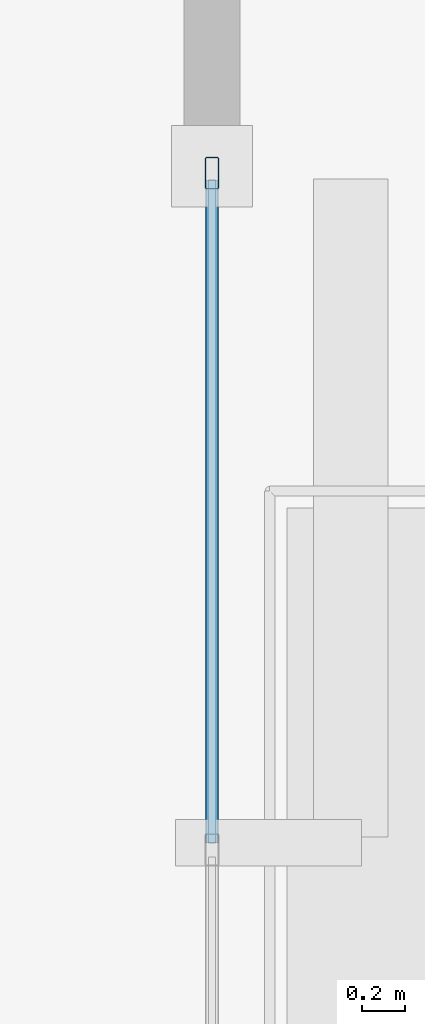
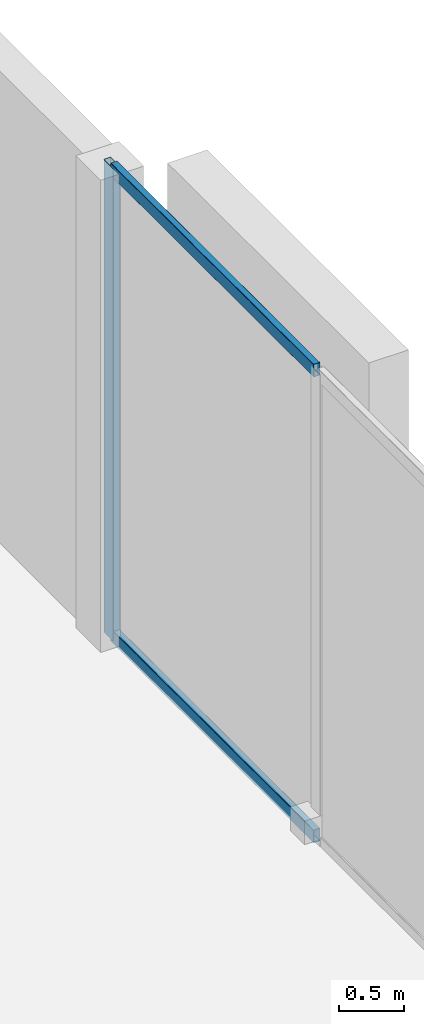
# One storey, part 3 of 11: 3 members, 1 element without a shape of its own.
"""IFC4 building model written with IfcOpenShell, lengths in metres."""

from ifc_helpers import new_model, si_unit, direction, frame, origin, origin_2d, place, context, subcontext, project, spatial, hollow_rectangle, extrude, material, layer, layer_set, material_profile, profile_set, type_object, element, aggregate, save


model = new_model("IFC4")

# Units and contexts
model_context = context("Model", 3, precision=1e-05, world=origin(), true_north=direction((0.0, 1.0)))
body_context = subcontext(model_context, "Body", "Model", "MODEL_VIEW")
ifc_project = project(units=[si_unit("LENGTHUNIT", "METRE"), si_unit("AREAUNIT", "SQUARE_METRE"), si_unit("VOLUMEUNIT", "CUBIC_METRE"), si_unit("PLANEANGLEUNIT", "RADIAN"), si_unit("MASSUNIT", "GRAM", prefix="KILO")], contexts=[model_context])

# Site, building, storey
site_placement = place(None, origin())
site = spatial("IfcSite", under=ifc_project, at=site_placement, CompositionType="ELEMENT")
building_placement = place(site_placement, origin())
building = spatial("IfcBuilding", under=site, at=building_placement, Name="An Khanh Terracotta Commons", CompositionType="ELEMENT")
storey_placement = place(building_placement, frame((0.0, 0.0, 19.35009765625)))
storey = spatial("IfcBuildingStorey", under=building, at=storey_placement, Name="L05", CompositionType="ELEMENT", Elevation=19.35009765625)

# Curtain wall, members
ifc_material = material(Name="Anodised Aluminium 6063-T6", Category="aluminium")
ifc_layer = layer(ifc_material, 0.179931640625, Name="Anodised Aluminium 6063-T6")
ifc_layer_set = layer_set([ifc_layer], Name="Anodised Aluminium 6063-T6")
curtain_wall_type = type_object("IfcCurtainWallType", Name="CW-SYS-01", PredefinedType="USERDEFINED", material=ifc_layer_set)
curtain_wall_placement = place(storey_placement, origin())
curtain_wall = element("IfcCurtainWall", 1, at=curtain_wall_placement, inside=storey, type_object=curtain_wall_type, Name="L05 CW-01 Unitised Curtain Wall CW-L05-EAST", ObjectType="UNITISED CURTAIN WALL", PredefinedType="USERDEFINED")
ifc_material_profile_1 = material_profile(ifc_material, hollow_rectangle(XDim=0.06494140625, YDim=0.14990234375, WallThickness=0.00390625, InnerFilletRadius=0.00390625, OuterFilletRadius=0.008056640625, at=origin_2d()), Name="RHS150x65x4")
ifc_profile_set_1 = profile_set([ifc_material_profile_1], Name="Anodised Aluminium 6063-T6")
member_type_1 = type_object("IfcMemberType", Name="CWM-RHS150x65x4", PredefinedType="MULLION", material=ifc_profile_set_1)
member_1_placement = place(storey_placement, frame((65.800048828125, 31.967529296875, 0.0), z_axis=(0.0, 0.0, 1.0), x_axis=(-1.0, 0.0, 0.0)))
member_1 = element("IfcMember", 2, at=member_1_placement, type_object=member_type_1, Name="CW-01 mullion 6", PredefinedType="MULLION", context=body_context, shape_type="SweptSolid", body=[
    extrude(hollow_rectangle(XDim=0.06494140625, YDim=0.14990234375, WallThickness=0.00390625, InnerFilletRadius=0.00390625, OuterFilletRadius=0.008056640625, at=origin_2d()), origin(), (0.0, 0.0, 1.0), 4.409912109375),
])
ifc_material_profile_2 = material_profile(ifc_material, hollow_rectangle(XDim=0.06005859375, YDim=0.1201171875, WallThickness=0.003662109375, InnerFilletRadius=0.003662109375, OuterFilletRadius=0.007080078125, at=origin_2d()), Name="RHS120x60x3.6")
ifc_profile_set_2 = profile_set([ifc_material_profile_2], Name="Anodised Aluminium 6063-T6")
member_type_2 = type_object("IfcMemberType", Name="CWT-RHS120x60x3.6", PredefinedType="USERDEFINED", material=ifc_profile_set_2)
member_2_placement = place(storey_placement, frame((65.800048828125, 28.83251953125, 0.02978515625), z_axis=(0.0, 1.0, 0.0), x_axis=(-1.0, 0.0, 0.0)))
member_2 = element("IfcMember", 3, at=member_2_placement, type_object=member_type_2, Name="CW-01 transom 5.1", ObjectType="TRANSOM", PredefinedType="USERDEFINED", context=body_context, shape_type="SweptSolid", body=[
    extrude(hollow_rectangle(XDim=0.06005859375, YDim=0.1201171875, WallThickness=0.003662109375, InnerFilletRadius=0.003662109375, OuterFilletRadius=0.007080078125, at=origin_2d()), origin(), (0.0, 0.0, 1.0), 3.1025390625),
])
member_3_placement = place(storey_placement, frame((65.800048828125, 28.83251953125, 4.3798828125), z_axis=(0.0, 1.0, 0.0), x_axis=(-1.0, 0.0, 0.0)))
member_3 = element("IfcMember", 4, at=member_3_placement, type_object=member_type_2, Name="CW-01 transom 5.2", ObjectType="TRANSOM", PredefinedType="USERDEFINED", context=body_context, shape_type="SweptSolid", body=[
    extrude(hollow_rectangle(XDim=0.06005859375, YDim=0.1201171875, WallThickness=0.003662109375, InnerFilletRadius=0.003662109375, OuterFilletRadius=0.007080078125, at=origin_2d()), origin(), (0.0, 0.0, 1.0), 3.1025390625),
])
aggregate(curtain_wall, [member_1, member_2, member_3])

save(model, "model.ifc")
